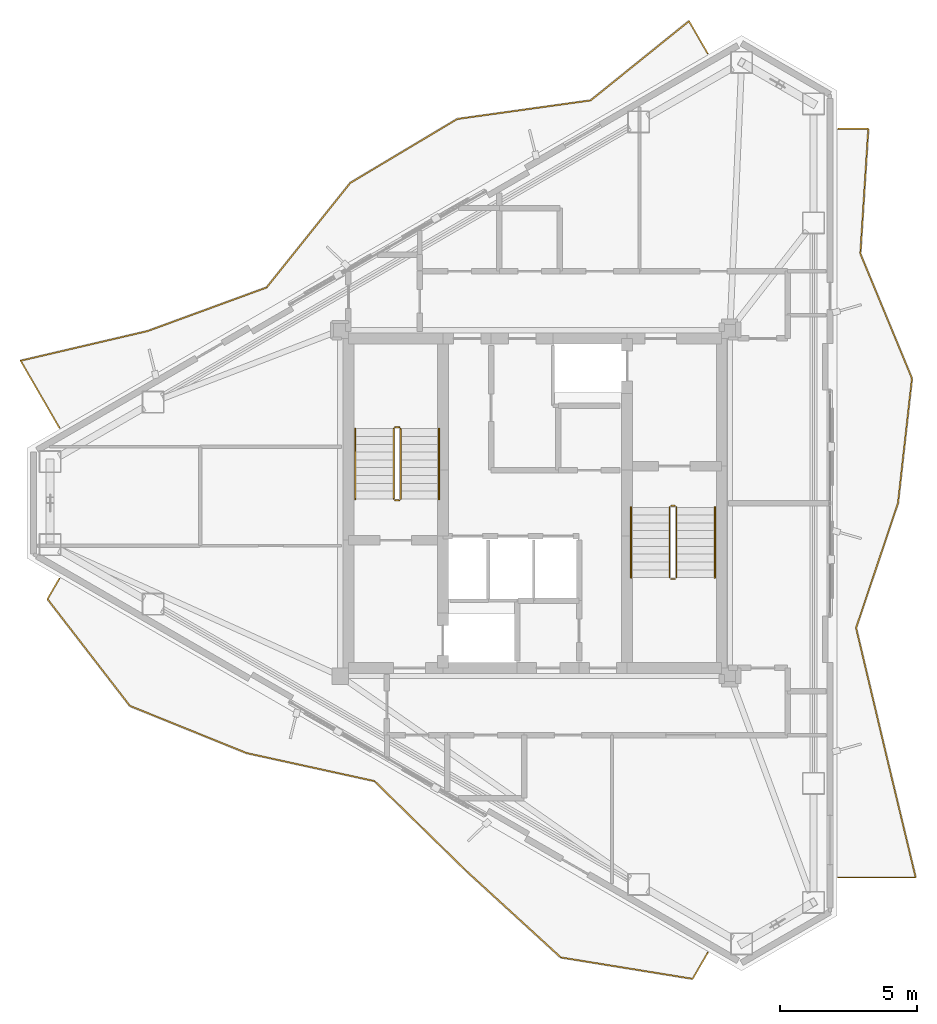
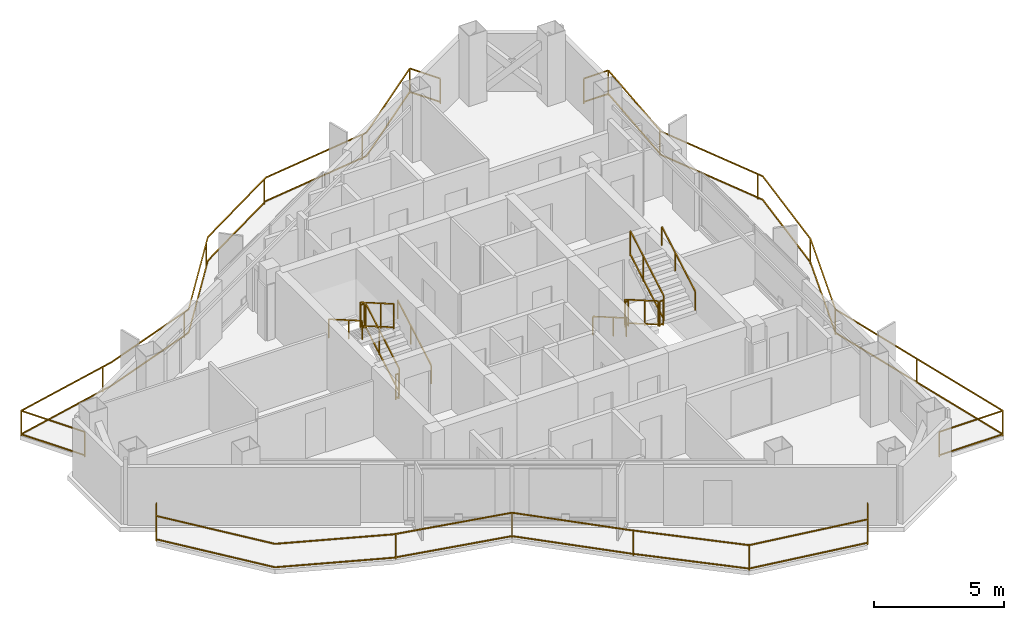
# One storey, part 18 of 18: 15 railings.
"""IFC4 building model written with IfcOpenShell, lengths in metres."""

from ifc_helpers import new_model, si_unit, direction, frame, origin, origin_2d, place, context, subcontext, project, spatial, rectangle, extrude, material, type_object, element, save


model = new_model("IFC4")

# Units and contexts
model_context = context("Model", 3, precision=1e-05, world=origin(), true_north=direction((0.0, 1.0)))
body_context = subcontext(model_context, "Body", "Model", "MODEL_VIEW")
ifc_project = project(units=[si_unit("LENGTHUNIT", "METRE"), si_unit("AREAUNIT", "SQUARE_METRE"), si_unit("VOLUMEUNIT", "CUBIC_METRE"), si_unit("PLANEANGLEUNIT", "RADIAN"), si_unit("MASSUNIT", "GRAM", prefix="KILO")], contexts=[model_context])

# Site, building, storey
site_placement = place(None, origin())
site = spatial("IfcSite", under=ifc_project, at=site_placement, CompositionType="ELEMENT")
building_placement = place(site_placement, origin())
building = spatial("IfcBuilding", under=site, at=building_placement, Name="Mersakhor Tower and Convention Hall", CompositionType="ELEMENT")
storey_placement = place(building_placement, frame((0.0, 0.0, 236.39990234375)))
storey = spatial("IfcBuildingStorey", under=building, at=storey_placement, Name="L66", CompositionType="ELEMENT", Elevation=236.39990234375)

# Railings
ifc_material_1 = material(Name="Powder-coated galvanised steel and laminated glass balustrade", Category="steel")
railing_type_1 = type_object("IfcRailingType", Name="RL-BAL-1200", PredefinedType="BALUSTRADE", material=ifc_material_1)
railing_1_placement = place(storey_placement, frame((35.287841796875, 43.13134765625, 0.0)))
element("IfcRailing", 1, at=railing_1_placement, inside=storey, type_object=railing_type_1, Name="L66 Sinusoidal Balcony Balustrade F1", PredefinedType="BALUSTRADE", context=body_context, shape_type="SweptSolid", body=[
    extrude(rectangle(XDim=0.048095703125, YDim=0.048095703125, at=origin_2d()), frame((0.0, 0.0, 1.17578125), z_axis=(-0.500023137234, 0.866012045084, 0.0), x_axis=(-0.866012045084, -0.500023137234, 0.0)), (0.0, 0.0, 1.0), 1.35888671875),
    extrude(rectangle(XDim=0.048095703125, YDim=0.048095703125, at=origin_2d()), frame((0.0, 0.0, 0.080078125), z_axis=(-0.500023137234, 0.866012045084, 0.0), x_axis=(-0.866012045084, -0.500023137234, 0.0)), (0.0, 0.0, 1.0), 1.35888671875),
    extrude(rectangle(XDim=0.048095703125, YDim=0.048095703125, at=origin_2d()), frame((-0.679443359375, 1.1767578125, 1.17578125), z_axis=(-0.778653072176, -0.627454694134, 0.0), x_axis=(0.627454694134, -0.778653072176, 0.0)), (0.0, 0.0, 1.0), 4.600341796875),
    extrude(rectangle(XDim=0.048095703125, YDim=0.048095703125, at=origin_2d()), frame((-0.679443359375, 1.1767578125, 0.080078125), z_axis=(-0.778653072176, -0.627454694134, 0.0), x_axis=(0.627454694134, -0.778653072176, 0.0)), (0.0, 0.0, 1.0), 4.600341796875),
    extrude(rectangle(XDim=0.048095703125, YDim=0.048095703125, at=origin_2d()), frame((-4.261474609375, -1.709716796875, 1.17578125), z_axis=(-0.990427539505, -0.138033651658, 0.0), x_axis=(0.138033651658, -0.990427539505, 0.0)), (0.0, 0.0, 1.0), 4.904541015625),
    extrude(rectangle(XDim=0.048095703125, YDim=0.048095703125, at=origin_2d()), frame((-4.261474609375, -1.709716796875, 0.080078125), z_axis=(-0.990427539505, -0.138033651658, 0.0), x_axis=(0.138033651658, -0.990427539505, 0.0)), (0.0, 0.0, 1.0), 4.904541015625),
    extrude(rectangle(XDim=0.048095703125, YDim=0.048095703125, at=origin_2d()), frame((-9.119140625, -2.38671875, 1.17578125), z_axis=(-0.85851010212, -0.5127966503, 0.0), x_axis=(0.5127966503, -0.85851010212, 0.0)), (0.0, 0.0, 1.0), 4.545654296875),
    extrude(rectangle(XDim=0.048095703125, YDim=0.048095703125, at=origin_2d()), frame((-9.119140625, -2.38671875, 0.080078125), z_axis=(-0.85851010212, -0.5127966503, 0.0), x_axis=(0.5127966503, -0.85851010212, 0.0)), (0.0, 0.0, 1.0), 4.545654296875),
    extrude(rectangle(XDim=0.048095703125, YDim=0.048095703125, at=origin_2d()), frame((-13.021728515625, -4.7177734375, 1.17578125), z_axis=(-0.624792665001, -0.780790705478, 0.0), x_axis=(0.780790705478, -0.624792665001, 0.0)), (0.0, 0.0, 1.0), 4.879638671875),
    extrude(rectangle(XDim=0.048095703125, YDim=0.048095703125, at=origin_2d()), frame((-13.021728515625, -4.7177734375, 0.080078125), z_axis=(-0.624792665001, -0.780790705478, 0.0), x_axis=(0.780790705478, -0.624792665001, 0.0)), (0.0, 0.0, 1.0), 4.879638671875),
    extrude(rectangle(XDim=0.048095703125, YDim=0.048095703125, at=origin_2d()), frame((-16.070556640625, -8.52783203125, 1.17578125), z_axis=(-0.939068288131, -0.343730636147, 0.0), x_axis=(0.343730636147, -0.939068288131, 0.0)), (0.0, 0.0, 1.0), 4.614013671875),
    extrude(rectangle(XDim=0.048095703125, YDim=0.048095703125, at=origin_2d()), frame((-16.070556640625, -8.52783203125, 0.080078125), z_axis=(-0.939068288131, -0.343730636147, 0.0), x_axis=(0.343730636147, -0.939068288131, 0.0)), (0.0, 0.0, 1.0), 4.614013671875),
    extrude(rectangle(XDim=0.048095703125, YDim=0.048095703125, at=origin_2d()), frame((-20.4033203125, -10.11376953125, 1.17578125), z_axis=(-0.973798726147, -0.2274116113, 0.0), x_axis=(0.2274116113, -0.973798726147, 0.0)), (0.0, 0.0, 1.0), 4.74951171875),
    extrude(rectangle(XDim=0.048095703125, YDim=0.048095703125, at=origin_2d()), frame((-20.4033203125, -10.11376953125, 0.080078125), z_axis=(-0.973798726147, -0.2274116113, 0.0), x_axis=(0.2274116113, -0.973798726147, 0.0)), (0.0, 0.0, 1.0), 4.74951171875),
    extrude(rectangle(XDim=0.048095703125, YDim=0.048095703125, at=origin_2d()), frame((-25.0283203125, -11.19384765625, 1.17578125), z_axis=(0.499984757355, -0.866034203951, 0.0), x_axis=(0.866034203951, 0.499984757355, 0.0)), (0.0, 0.0, 1.0), 2.81982421875),
    extrude(rectangle(XDim=0.048095703125, YDim=0.048095703125, at=origin_2d()), frame((-25.0283203125, -11.19384765625, 0.080078125), z_axis=(0.499984757355, -0.866034203951, 0.0), x_axis=(0.866034203951, 0.499984757355, 0.0)), (0.0, 0.0, 1.0), 2.81982421875),
    extrude(rectangle(XDim=0.0419921875, YDim=0.0419921875, at=origin_2d()), origin(), (0.0, 0.0, 1.0), 1.15185546875),
    extrude(rectangle(XDim=0.0419921875, YDim=0.0419921875, at=origin_2d()), frame((-0.679443359375, 1.1767578125, 0.0)), (0.0, 0.0, 1.0), 1.15185546875),
    extrude(rectangle(XDim=0.0419921875, YDim=0.0419921875, at=origin_2d()), frame((-4.459228515625, -1.7373046875, 0.0)), (0.0, 0.0, 1.0), 1.15185546875),
    extrude(rectangle(XDim=0.0419921875, YDim=0.0419921875, at=origin_2d()), frame((-9.20068359375, -2.435546875, 0.0)), (0.0, 0.0, 1.0), 1.15185546875),
    extrude(rectangle(XDim=0.0419921875, YDim=0.0419921875, at=origin_2d()), frame((-13.239990234375, -4.990478515625, 0.0)), (0.0, 0.0, 1.0), 1.15185546875),
    extrude(rectangle(XDim=0.0419921875, YDim=0.0419921875, at=origin_2d()), frame((-16.32373046875, -8.62060546875, 0.0)), (0.0, 0.0, 1.0), 1.15185546875),
    extrude(rectangle(XDim=0.0419921875, YDim=0.0419921875, at=origin_2d()), frame((-20.84716796875, -10.21728515625, 0.0)), (0.0, 0.0, 1.0), 1.15185546875),
    extrude(rectangle(XDim=0.0419921875, YDim=0.0419921875, at=origin_2d()), frame((-25.0283203125, -11.19384765625, 0.0)), (0.0, 0.0, 1.0), 1.15185546875),
    extrude(rectangle(XDim=0.0419921875, YDim=0.0419921875, at=origin_2d()), frame((-23.618408203125, -13.635986328125, 0.0)), (0.0, 0.0, 1.0), 1.15185546875),
])
railing_2_placement = place(storey_placement, frame((40.042724609375, 13.114013671875, 0.0)))
element("IfcRailing", 2, at=railing_2_placement, inside=storey, type_object=railing_type_1, Name="L66 Sinusoidal Balcony Balustrade F2", PredefinedType="BALUSTRADE", context=body_context, shape_type="SweptSolid", body=[
    extrude(rectangle(XDim=0.048095703125, YDim=0.048095703125, at=origin_2d()), frame((0.0, 0.0, 1.17578125), z_axis=(1.0, 0.0, 0.0), x_axis=(0.0, 1.0, 0.0)), (0.0, 0.0, 1.0), 2.820068359375),
    extrude(rectangle(XDim=0.048095703125, YDim=0.048095703125, at=origin_2d()), frame((0.0, 0.0, 0.080078125), z_axis=(1.0, 0.0, 0.0), x_axis=(0.0, 1.0, 0.0)), (0.0, 0.0, 1.0), 2.820068359375),
    extrude(rectangle(XDim=0.048095703125, YDim=0.048095703125, at=origin_2d()), frame((2.820068359375, 0.0, 1.17578125), z_axis=(-0.233467771202, 0.972364540597, 0.0), x_axis=(-0.972364540597, -0.233467771202, 0.0)), (0.0, 0.0, 1.0), 4.67431640625),
    extrude(rectangle(XDim=0.048095703125, YDim=0.048095703125, at=origin_2d()), frame((2.820068359375, 0.0, 0.080078125), z_axis=(-0.233467771202, 0.972364540597, 0.0), x_axis=(-0.972364540597, -0.233467771202, 0.0)), (0.0, 0.0, 1.0), 4.67431640625),
    extrude(rectangle(XDim=0.048095703125, YDim=0.048095703125, at=origin_2d()), frame((1.728759765625, 4.545166015625, 1.17578125), z_axis=(-0.230885677973, 0.972980885582, 0.0), x_axis=(-0.972980885582, -0.230885677973, 0.0)), (0.0, 0.0, 1.0), 4.671630859375),
    extrude(rectangle(XDim=0.048095703125, YDim=0.048095703125, at=origin_2d()), frame((1.728759765625, 4.545166015625, 0.080078125), z_axis=(-0.230885677973, 0.972980885582, 0.0), x_axis=(-0.972980885582, -0.230885677973, 0.0)), (0.0, 0.0, 1.0), 4.671630859375),
    extrude(rectangle(XDim=0.048095703125, YDim=0.048095703125, at=origin_2d()), frame((0.650146484375, 9.090576171875, 1.17578125), z_axis=(0.318334961594, 0.947978297339, 0.0), x_axis=(-0.947978297339, 0.318334961594, 0.0)), (0.0, 0.0, 1.0), 4.794921875),
    extrude(rectangle(XDim=0.048095703125, YDim=0.048095703125, at=origin_2d()), frame((0.650146484375, 9.090576171875, 0.080078125), z_axis=(0.318334961594, 0.947978297339, 0.0), x_axis=(-0.947978297339, 0.318334961594, 0.0)), (0.0, 0.0, 1.0), 4.794921875),
    extrude(rectangle(XDim=0.048095703125, YDim=0.048095703125, at=origin_2d()), frame((2.176513671875, 13.635986328125, 1.17578125), z_axis=(0.111345405852, 0.993781767088, 0.0), x_axis=(-0.993781767088, 0.111345405852, 0.0)), (0.0, 0.0, 1.0), 4.57373046875),
    extrude(rectangle(XDim=0.048095703125, YDim=0.048095703125, at=origin_2d()), frame((2.176513671875, 13.635986328125, 0.080078125), z_axis=(0.111345405852, 0.993781767088, 0.0), x_axis=(-0.993781767088, 0.111345405852, 0.0)), (0.0, 0.0, 1.0), 4.57373046875),
    extrude(rectangle(XDim=0.048095703125, YDim=0.048095703125, at=origin_2d()), frame((2.685791015625, 18.181396484375, 1.17578125), z_axis=(-0.382394166219, 0.923999297425, 0.0), x_axis=(-0.923999297425, -0.382394166219, 0.0)), (0.0, 0.0, 1.0), 4.919189453125),
    extrude(rectangle(XDim=0.048095703125, YDim=0.048095703125, at=origin_2d()), frame((2.685791015625, 18.181396484375, 0.080078125), z_axis=(-0.382394166219, 0.923999297425, 0.0), x_axis=(-0.923999297425, -0.382394166219, 0.0)), (0.0, 0.0, 1.0), 4.919189453125),
    extrude(rectangle(XDim=0.048095703125, YDim=0.048095703125, at=origin_2d()), frame((0.8046875, 22.726806640625, 1.17578125), z_axis=(0.0637365032, 0.997966762052, 0.0), x_axis=(-0.997966762052, 0.0637365032, 0.0)), (0.0, 0.0, 1.0), 4.554443359375),
    extrude(rectangle(XDim=0.048095703125, YDim=0.048095703125, at=origin_2d()), frame((0.8046875, 22.726806640625, 0.080078125), z_axis=(0.0637365032, 0.997966762052, 0.0), x_axis=(-0.997966762052, 0.0637365032, 0.0)), (0.0, 0.0, 1.0), 4.554443359375),
    extrude(rectangle(XDim=0.048095703125, YDim=0.048095703125, at=origin_2d()), frame((1.094970703125, 27.27197265625, 1.17578125), z_axis=(-1.0, 0.0, 0.0), x_axis=(0.0, -1.0, 0.0)), (0.0, 0.0, 1.0), 1.094970703125),
    extrude(rectangle(XDim=0.048095703125, YDim=0.048095703125, at=origin_2d()), frame((1.094970703125, 27.27197265625, 0.080078125), z_axis=(-1.0, 0.0, 0.0), x_axis=(0.0, -1.0, 0.0)), (0.0, 0.0, 1.0), 1.094970703125),
    extrude(rectangle(XDim=0.0419921875, YDim=0.0419921875, at=origin_2d()), origin(), (0.0, 0.0, 1.0), 1.15185546875),
    extrude(rectangle(XDim=0.0419921875, YDim=0.0419921875, at=origin_2d()), frame((2.820068359375, 0.0, 0.0)), (0.0, 0.0, 1.0), 1.15185546875),
    extrude(rectangle(XDim=0.0419921875, YDim=0.0419921875, at=origin_2d()), frame((1.69970703125, 4.66748046875, 0.0)), (0.0, 0.0, 1.0), 1.15185546875),
    extrude(rectangle(XDim=0.0419921875, YDim=0.0419921875, at=origin_2d()), frame((0.650146484375, 9.090576171875, 0.0)), (0.0, 0.0, 1.0), 1.15185546875),
    extrude(rectangle(XDim=0.0419921875, YDim=0.0419921875, at=origin_2d()), frame((2.177001953125, 13.64111328125, 0.0)), (0.0, 0.0, 1.0), 1.15185546875),
    extrude(rectangle(XDim=0.0419921875, YDim=0.0419921875, at=origin_2d()), frame((2.597412109375, 18.39501953125, 0.0)), (0.0, 0.0, 1.0), 1.15185546875),
    extrude(rectangle(XDim=0.0419921875, YDim=0.0419921875, at=origin_2d()), frame((0.811767578125, 22.838623046875, 0.0)), (0.0, 0.0, 1.0), 1.15185546875),
    extrude(rectangle(XDim=0.0419921875, YDim=0.0419921875, at=origin_2d()), frame((1.094970703125, 27.27197265625, 0.0)), (0.0, 0.0, 1.0), 1.15185546875),
    extrude(rectangle(XDim=0.0419921875, YDim=0.0419921875, at=origin_2d()), frame((0.0, 27.27197265625, 0.0)), (0.0, 0.0, 1.0), 1.15185546875),
])
railing_3_placement = place(storey_placement, frame((11.66943359375, 24.004638671875, 0.0)))
element("IfcRailing", 3, at=railing_3_placement, inside=storey, type_object=railing_type_1, Name="L66 Sinusoidal Balcony Balustrade F3", PredefinedType="BALUSTRADE", context=body_context, shape_type="SweptSolid", body=[
    extrude(rectangle(XDim=0.048095703125, YDim=0.048095703125, at=origin_2d()), frame((0.0, 0.0, 1.17578125), z_axis=(-0.500023708017, -0.866011715522, 0.0), x_axis=(0.866011715522, -0.500023708017, 0.0)), (0.0, 0.0, 1.0), 0.865234375),
    extrude(rectangle(XDim=0.048095703125, YDim=0.048095703125, at=origin_2d()), frame((0.0, 0.0, 0.080078125), z_axis=(-0.500023708017, -0.866011715522, 0.0), x_axis=(0.866011715522, -0.500023708017, 0.0)), (0.0, 0.0, 1.0), 0.865234375),
    extrude(rectangle(XDim=0.048095703125, YDim=0.048095703125, at=origin_2d()), frame((-0.4326171875, -0.749267578125, 1.17578125), z_axis=(0.610968067397, -0.791655241012, 0.0), x_axis=(0.791655241012, 0.610968067397, 0.0)), (0.0, 0.0, 1.0), 4.914306640625),
    extrude(rectangle(XDim=0.048095703125, YDim=0.048095703125, at=origin_2d()), frame((-0.4326171875, -0.749267578125, 0.080078125), z_axis=(0.610968067397, -0.791655241012, 0.0), x_axis=(0.791655241012, 0.610968067397, 0.0)), (0.0, 0.0, 1.0), 4.914306640625),
    extrude(rectangle(XDim=0.048095703125, YDim=0.048095703125, at=origin_2d()), frame((2.56982421875, -4.6396484375, 1.17578125), z_axis=(0.927087255493, -0.374845595815, 0.0), x_axis=(0.374845595815, 0.927087255493, 0.0)), (0.0, 0.0, 1.0), 4.58984375),
    extrude(rectangle(XDim=0.048095703125, YDim=0.048095703125, at=origin_2d()), frame((2.56982421875, -4.6396484375, 0.080078125), z_axis=(0.927087255493, -0.374845595815, 0.0), x_axis=(0.374845595815, 0.927087255493, 0.0)), (0.0, 0.0, 1.0), 4.58984375),
    extrude(rectangle(XDim=0.048095703125, YDim=0.048095703125, at=origin_2d()), frame((6.824951171875, -6.360107421875, 1.17578125), z_axis=(0.976831847096, -0.214008276709, 0.0), x_axis=(0.214008276709, 0.976831847096, 0.0)), (0.0, 0.0, 1.0), 4.769775390625),
    extrude(rectangle(XDim=0.048095703125, YDim=0.048095703125, at=origin_2d()), frame((6.824951171875, -6.360107421875, 0.080078125), z_axis=(0.976831847096, -0.214008276709, 0.0), x_axis=(0.214008276709, 0.976831847096, 0.0)), (0.0, 0.0, 1.0), 4.769775390625),
    extrude(rectangle(XDim=0.048095703125, YDim=0.048095703125, at=origin_2d()), frame((11.484130859375, -7.380859375, 1.17578125), z_axis=(0.714739595655, -0.699390670801, 0.0), x_axis=(0.699390670801, 0.714739595655, 0.0)), (0.0, 0.0, 1.0), 4.6923828125),
    extrude(rectangle(XDim=0.048095703125, YDim=0.048095703125, at=origin_2d()), frame((11.484130859375, -7.380859375, 0.080078125), z_axis=(0.714739595655, -0.699390670801, 0.0), x_axis=(0.699390670801, 0.714739595655, 0.0)), (0.0, 0.0, 1.0), 4.6923828125),
    extrude(rectangle(XDim=0.048095703125, YDim=0.048095703125, at=origin_2d()), frame((14.837890625, -10.66259765625, 1.17578125), z_axis=(0.737698146667, -0.675130686908, 0.0), x_axis=(0.675130686908, 0.737698146667, 0.0)), (0.0, 0.0, 1.0), 4.655029296875),
    extrude(rectangle(XDim=0.048095703125, YDim=0.048095703125, at=origin_2d()), frame((14.837890625, -10.66259765625, 0.080078125), z_axis=(0.737698146667, -0.675130686908, 0.0), x_axis=(0.675130686908, 0.737698146667, 0.0)), (0.0, 0.0, 1.0), 4.655029296875),
    extrude(rectangle(XDim=0.048095703125, YDim=0.048095703125, at=origin_2d()), frame((18.27197265625, -13.805419921875, 1.17578125), z_axis=(0.987085311229, -0.160195469211, 0.0), x_axis=(0.160195469211, 0.987085311229, 0.0)), (0.0, 0.0, 1.0), 4.861572265625),
    extrude(rectangle(XDim=0.048095703125, YDim=0.048095703125, at=origin_2d()), frame((18.27197265625, -13.805419921875, 0.080078125), z_axis=(0.987085311229, -0.160195469211, 0.0), x_axis=(0.160195469211, 0.987085311229, 0.0)), (0.0, 0.0, 1.0), 4.861572265625),
    extrude(rectangle(XDim=0.048095703125, YDim=0.048095703125, at=origin_2d()), frame((23.07080078125, -14.584228515625, 1.17578125), z_axis=(0.500095571584, 0.865970218473, 0.0), x_axis=(-0.865970218473, 0.500095571584, 0.0)), (0.0, 0.0, 1.0), 1.094970703125),
    extrude(rectangle(XDim=0.048095703125, YDim=0.048095703125, at=origin_2d()), frame((23.07080078125, -14.584228515625, 0.080078125), z_axis=(0.500095571584, 0.865970218473, 0.0), x_axis=(-0.865970218473, 0.500095571584, 0.0)), (0.0, 0.0, 1.0), 1.094970703125),
    extrude(rectangle(XDim=0.0419921875, YDim=0.0419921875, at=origin_2d()), origin(), (0.0, 0.0, 1.0), 1.15185546875),
    extrude(rectangle(XDim=0.0419921875, YDim=0.0419921875, at=origin_2d()), frame((-0.4326171875, -0.749267578125, 0.0)), (0.0, 0.0, 1.0), 1.15185546875),
    extrude(rectangle(XDim=0.0419921875, YDim=0.0419921875, at=origin_2d()), frame((6.918701171875, -6.380615234375, 0.0)), (0.0, 0.0, 1.0), 1.15185546875),
    extrude(rectangle(XDim=0.0419921875, YDim=0.0419921875, at=origin_2d()), frame((11.484130859375, -7.380859375, 0.0)), (0.0, 0.0, 1.0), 1.15185546875),
    extrude(rectangle(XDim=0.0419921875, YDim=0.0419921875, at=origin_2d()), frame((14.917236328125, -10.7353515625, 0.0)), (0.0, 0.0, 1.0), 1.15185546875),
    extrude(rectangle(XDim=0.0419921875, YDim=0.0419921875, at=origin_2d()), frame((18.27197265625, -13.805419921875, 0.0)), (0.0, 0.0, 1.0), 1.15185546875),
    extrude(rectangle(XDim=0.0419921875, YDim=0.0419921875, at=origin_2d()), frame((23.07080078125, -14.584228515625, 0.0)), (0.0, 0.0, 1.0), 1.15185546875),
    extrude(rectangle(XDim=0.0419921875, YDim=0.0419921875, at=origin_2d()), frame((23.618408203125, -13.635986328125, 0.0)), (0.0, 0.0, 1.0), 1.15185546875),
])
ifc_material_2 = material(Name="Brushed stainless steel handrail", Category="steel")
railing_type_2 = type_object("IfcRailingType", Name="RL-HR-900", PredefinedType="HANDRAIL", material=ifc_material_2)
railing_4_placement = place(storey_placement, frame((25.5, 26.89990234375, 0.1650390625)))
element("IfcRailing", 4, at=railing_4_placement, inside=storey, type_object=railing_type_2, Name="L66 ST-1 stair handrail 1", PredefinedType="HANDRAIL", context=body_context, shape_type="SweptSolid", body=[
    extrude(rectangle(XDim=0.048095703125, YDim=0.048095703125, at=origin_2d()), frame((0.0, 0.0, 0.8759765625), z_axis=(0.0, 0.865426285481, 0.501036270542), x_axis=(-1.0, 0.0, 0.0)), (0.0, 0.0, 1.0), 2.964111328125),
    extrude(rectangle(XDim=0.0419921875, YDim=0.0419921875, at=origin_2d()), origin(), (0.0, 0.0, 1.0), 0.851806640625),
    extrude(rectangle(XDim=0.0419921875, YDim=0.0419921875, at=origin_2d()), frame((0.0, 1.557861328125, 0.90185546875)), (0.0, 0.0, 1.0), 0.851806640625),
    extrude(rectangle(XDim=0.0419921875, YDim=0.0419921875, at=origin_2d()), frame((0.0, 2.565185546875, 1.485107421875)), (0.0, 0.0, 1.0), 0.851806640625),
])
railing_5_placement = place(storey_placement, frame((22.449951171875, 29.465087890625, 1.815185546875)))
element("IfcRailing", 5, at=railing_5_placement, inside=storey, type_object=railing_type_2, Name="L66 ST-1 stair handrail 2", PredefinedType="HANDRAIL", context=body_context, shape_type="SweptSolid", body=[
    extrude(rectangle(XDim=0.048095703125, YDim=0.048095703125, at=origin_2d()), frame((0.0, 0.0, 0.8759765625), z_axis=(0.0, -0.865461999751, 0.500974577186), x_axis=(1.0, 0.0, 0.0)), (0.0, 0.0, 1.0), 2.9638671875),
    extrude(rectangle(XDim=0.0419921875, YDim=0.0419921875, at=origin_2d()), origin(), (0.0, 0.0, 1.0), 0.851806640625),
    extrude(rectangle(XDim=0.0419921875, YDim=0.0419921875, at=origin_2d()), frame((0.0, -1.557861328125, 0.90185546875)), (0.0, 0.0, 1.0), 0.851806640625),
    extrude(rectangle(XDim=0.0419921875, YDim=0.0419921875, at=origin_2d()), frame((0.0, -2.565185546875, 1.48486328125)), (0.0, 0.0, 1.0), 0.851806640625),
])
railing_6_placement = place(storey_placement, frame((32.5, 26.60009765625, 0.1650390625)))
element("IfcRailing", 6, at=railing_6_placement, inside=storey, type_object=railing_type_2, Name="L66 ST-2 stair handrail 1", PredefinedType="HANDRAIL", context=body_context, shape_type="SweptSolid", body=[
    extrude(rectangle(XDim=0.048095703125, YDim=0.048095703125, at=origin_2d()), frame((0.0, 0.0, 0.8759765625), z_axis=(0.0, -0.865426285481, 0.501036270542), x_axis=(1.0, 0.0, 0.0)), (0.0, 0.0, 1.0), 2.964111328125),
    extrude(rectangle(XDim=0.0419921875, YDim=0.0419921875, at=origin_2d()), origin(), (0.0, 0.0, 1.0), 0.851806640625),
    extrude(rectangle(XDim=0.0419921875, YDim=0.0419921875, at=origin_2d()), frame((0.0, -1.557861328125, 0.90185546875)), (0.0, 0.0, 1.0), 0.851806640625),
    extrude(rectangle(XDim=0.0419921875, YDim=0.0419921875, at=origin_2d()), frame((0.0, -2.565185546875, 1.485107421875)), (0.0, 0.0, 1.0), 0.851806640625),
])
railing_7_placement = place(storey_placement, frame((35.550048828125, 24.034912109375, 1.815185546875)))
element("IfcRailing", 7, at=railing_7_placement, inside=storey, type_object=railing_type_2, Name="L66 ST-2 stair handrail 2", PredefinedType="HANDRAIL", context=body_context, shape_type="SweptSolid", body=[
    extrude(rectangle(XDim=0.048095703125, YDim=0.048095703125, at=origin_2d()), frame((0.0, 0.0, 0.8759765625), z_axis=(0.0, 0.865461999751, 0.500974577186), x_axis=(-1.0, 0.0, 0.0)), (0.0, 0.0, 1.0), 2.9638671875),
    extrude(rectangle(XDim=0.0419921875, YDim=0.0419921875, at=origin_2d()), origin(), (0.0, 0.0, 1.0), 0.851806640625),
    extrude(rectangle(XDim=0.0419921875, YDim=0.0419921875, at=origin_2d()), frame((0.0, 1.557861328125, 0.90185546875)), (0.0, 0.0, 1.0), 0.851806640625),
    extrude(rectangle(XDim=0.0419921875, YDim=0.0419921875, at=origin_2d()), frame((0.0, 2.565185546875, 1.48486328125)), (0.0, 0.0, 1.0), 0.851806640625),
])
ifc_material_3 = material(Name="Painted steel stair balustrade S355", Category="steel")
railing_type_3 = type_object("IfcRailingType", Name="RL-STG-1200", PredefinedType="BALUSTRADE", material=ifc_material_3)
railing_8_placement = place(storey_placement, frame((24.10009765625, 26.89990234375, 0.1650390625)))
element("IfcRailing", 8, at=railing_8_placement, inside=storey, type_object=railing_type_3, Name="L66 ST-1 stair guard 1", PredefinedType="BALUSTRADE", context=body_context, shape_type="SweptSolid", body=[
    extrude(rectangle(XDim=0.048095703125, YDim=0.048095703125, at=origin_2d()), frame((0.0, 0.0, 1.17578125), z_axis=(0.0, 0.865426285481, 0.501036270542), x_axis=(-1.0, 0.0, 0.0)), (0.0, 0.0, 1.0), 2.964111328125),
    extrude(rectangle(XDim=0.048095703125, YDim=0.048095703125, at=origin_2d()), frame((0.0, 0.0, 0.080078125), z_axis=(0.0, 0.865426285481, 0.501036270542), x_axis=(-1.0, 0.0, 0.0)), (0.0, 0.0, 1.0), 2.964111328125),
    extrude(rectangle(XDim=0.0419921875, YDim=0.0419921875, at=origin_2d()), origin(), (0.0, 0.0, 1.0), 1.15185546875),
    extrude(rectangle(XDim=0.0419921875, YDim=0.0419921875, at=origin_2d()), frame((0.0, 1.557861328125, 0.90185546875)), (0.0, 0.0, 1.0), 1.15185546875),
    extrude(rectangle(XDim=0.0419921875, YDim=0.0419921875, at=origin_2d()), frame((0.0, 2.565185546875, 1.485107421875)), (0.0, 0.0, 1.0), 1.15185546875),
])
railing_9_placement = place(storey_placement, frame((24.050048828125, 29.514892578125, 1.650146484375)))
element("IfcRailing", 9, at=railing_9_placement, inside=storey, type_object=railing_type_3, Name="L66 ST-1 stair guard 2", PredefinedType="BALUSTRADE", context=body_context, shape_type="SweptSolid", body=[
    extrude(rectangle(XDim=0.048095703125, YDim=0.048095703125, at=origin_2d()), frame((0.0, 0.0, 1.17578125), z_axis=(-1.0, 0.0, 0.0), x_axis=(0.0, -1.0, 0.0)), (0.0, 0.0, 1.0), 0.150146484375),
    extrude(rectangle(XDim=0.048095703125, YDim=0.048095703125, at=origin_2d()), frame((0.0, 0.0, 0.080078125), z_axis=(-1.0, 0.0, 0.0), x_axis=(0.0, -1.0, 0.0)), (0.0, 0.0, 1.0), 0.150146484375),
    extrude(rectangle(XDim=0.0419921875, YDim=0.0419921875, at=origin_2d()), origin(), (0.0, 0.0, 1.0), 1.15185546875),
    extrude(rectangle(XDim=0.0419921875, YDim=0.0419921875, at=origin_2d()), frame((-0.150146484375, 0.0, 0.0)), (0.0, 0.0, 1.0), 1.15185546875),
])
railing_10_placement = place(storey_placement, frame((23.85009765625, 29.465087890625, 1.815185546875)))
element("IfcRailing", 10, at=railing_10_placement, inside=storey, type_object=railing_type_3, Name="L66 ST-1 stair guard 3", PredefinedType="BALUSTRADE", context=body_context, shape_type="SweptSolid", body=[
    extrude(rectangle(XDim=0.048095703125, YDim=0.048095703125, at=origin_2d()), frame((0.0, 0.0, 1.17578125), z_axis=(0.0, -0.865461999751, 0.500974577186), x_axis=(1.0, 0.0, 0.0)), (0.0, 0.0, 1.0), 2.9638671875),
    extrude(rectangle(XDim=0.048095703125, YDim=0.048095703125, at=origin_2d()), frame((0.0, 0.0, 0.080078125), z_axis=(0.0, -0.865461999751, 0.500974577186), x_axis=(1.0, 0.0, 0.0)), (0.0, 0.0, 1.0), 2.9638671875),
    extrude(rectangle(XDim=0.0419921875, YDim=0.0419921875, at=origin_2d()), origin(), (0.0, 0.0, 1.0), 1.15185546875),
    extrude(rectangle(XDim=0.0419921875, YDim=0.0419921875, at=origin_2d()), frame((0.0, -1.557861328125, 0.90185546875)), (0.0, 0.0, 1.0), 1.15185546875),
    extrude(rectangle(XDim=0.0419921875, YDim=0.0419921875, at=origin_2d()), frame((0.0, -2.565185546875, 1.48486328125)), (0.0, 0.0, 1.0), 1.15185546875),
])
railing_11_placement = place(storey_placement, frame((24.050048828125, 26.85009765625, 0.0)))
element("IfcRailing", 11, at=railing_11_placement, inside=storey, type_object=railing_type_3, Name="L66 ST-1 stair guard 4", PredefinedType="BALUSTRADE", context=body_context, shape_type="SweptSolid", body=[
    extrude(rectangle(XDim=0.048095703125, YDim=0.048095703125, at=origin_2d()), frame((0.0, 0.0, 1.17578125), z_axis=(-1.0, 0.0, 0.0), x_axis=(0.0, -1.0, 0.0)), (0.0, 0.0, 1.0), 0.150146484375),
    extrude(rectangle(XDim=0.048095703125, YDim=0.048095703125, at=origin_2d()), frame((0.0, 0.0, 0.080078125), z_axis=(-1.0, 0.0, 0.0), x_axis=(0.0, -1.0, 0.0)), (0.0, 0.0, 1.0), 0.150146484375),
    extrude(rectangle(XDim=0.0419921875, YDim=0.0419921875, at=origin_2d()), origin(), (0.0, 0.0, 1.0), 1.15185546875),
    extrude(rectangle(XDim=0.0419921875, YDim=0.0419921875, at=origin_2d()), frame((-0.150146484375, 0.0, 0.0)), (0.0, 0.0, 1.0), 1.15185546875),
])
railing_12_placement = place(storey_placement, frame((33.89990234375, 26.60009765625, 0.1650390625)))
element("IfcRailing", 12, at=railing_12_placement, inside=storey, type_object=railing_type_3, Name="L66 ST-2 stair guard 1", PredefinedType="BALUSTRADE", context=body_context, shape_type="SweptSolid", body=[
    extrude(rectangle(XDim=0.048095703125, YDim=0.048095703125, at=origin_2d()), frame((0.0, 0.0, 1.17578125), z_axis=(0.0, -0.865426285481, 0.501036270542), x_axis=(1.0, 0.0, 0.0)), (0.0, 0.0, 1.0), 2.964111328125),
    extrude(rectangle(XDim=0.048095703125, YDim=0.048095703125, at=origin_2d()), frame((0.0, 0.0, 0.080078125), z_axis=(0.0, -0.865426285481, 0.501036270542), x_axis=(1.0, 0.0, 0.0)), (0.0, 0.0, 1.0), 2.964111328125),
    extrude(rectangle(XDim=0.0419921875, YDim=0.0419921875, at=origin_2d()), origin(), (0.0, 0.0, 1.0), 1.15185546875),
    extrude(rectangle(XDim=0.0419921875, YDim=0.0419921875, at=origin_2d()), frame((0.0, -1.557861328125, 0.90185546875)), (0.0, 0.0, 1.0), 1.15185546875),
    extrude(rectangle(XDim=0.0419921875, YDim=0.0419921875, at=origin_2d()), frame((0.0, -2.565185546875, 1.485107421875)), (0.0, 0.0, 1.0), 1.15185546875),
])
railing_13_placement = place(storey_placement, frame((33.949951171875, 23.985107421875, 1.650146484375)))
element("IfcRailing", 13, at=railing_13_placement, inside=storey, type_object=railing_type_3, Name="L66 ST-2 stair guard 2", PredefinedType="BALUSTRADE", context=body_context, shape_type="SweptSolid", body=[
    extrude(rectangle(XDim=0.048095703125, YDim=0.048095703125, at=origin_2d()), frame((0.0, 0.0, 1.17578125), z_axis=(1.0, 0.0, 0.0), x_axis=(0.0, 1.0, 0.0)), (0.0, 0.0, 1.0), 0.150146484375),
    extrude(rectangle(XDim=0.048095703125, YDim=0.048095703125, at=origin_2d()), frame((0.0, 0.0, 0.080078125), z_axis=(1.0, 0.0, 0.0), x_axis=(0.0, 1.0, 0.0)), (0.0, 0.0, 1.0), 0.150146484375),
    extrude(rectangle(XDim=0.0419921875, YDim=0.0419921875, at=origin_2d()), origin(), (0.0, 0.0, 1.0), 1.15185546875),
    extrude(rectangle(XDim=0.0419921875, YDim=0.0419921875, at=origin_2d()), frame((0.150146484375, 0.0, 0.0)), (0.0, 0.0, 1.0), 1.15185546875),
])
railing_14_placement = place(storey_placement, frame((34.14990234375, 24.034912109375, 1.815185546875)))
element("IfcRailing", 14, at=railing_14_placement, inside=storey, type_object=railing_type_3, Name="L66 ST-2 stair guard 3", PredefinedType="BALUSTRADE", context=body_context, shape_type="SweptSolid", body=[
    extrude(rectangle(XDim=0.048095703125, YDim=0.048095703125, at=origin_2d()), frame((0.0, 0.0, 1.17578125), z_axis=(0.0, 0.865461999751, 0.500974577186), x_axis=(-1.0, 0.0, 0.0)), (0.0, 0.0, 1.0), 2.9638671875),
    extrude(rectangle(XDim=0.048095703125, YDim=0.048095703125, at=origin_2d()), frame((0.0, 0.0, 0.080078125), z_axis=(0.0, 0.865461999751, 0.500974577186), x_axis=(-1.0, 0.0, 0.0)), (0.0, 0.0, 1.0), 2.9638671875),
    extrude(rectangle(XDim=0.0419921875, YDim=0.0419921875, at=origin_2d()), origin(), (0.0, 0.0, 1.0), 1.15185546875),
    extrude(rectangle(XDim=0.0419921875, YDim=0.0419921875, at=origin_2d()), frame((0.0, 1.557861328125, 0.90185546875)), (0.0, 0.0, 1.0), 1.15185546875),
    extrude(rectangle(XDim=0.0419921875, YDim=0.0419921875, at=origin_2d()), frame((0.0, 2.565185546875, 1.48486328125)), (0.0, 0.0, 1.0), 1.15185546875),
])
railing_15_placement = place(storey_placement, frame((33.949951171875, 26.64990234375, 0.0)))
element("IfcRailing", 15, at=railing_15_placement, inside=storey, type_object=railing_type_3, Name="L66 ST-2 stair guard 4", PredefinedType="BALUSTRADE", context=body_context, shape_type="SweptSolid", body=[
    extrude(rectangle(XDim=0.048095703125, YDim=0.048095703125, at=origin_2d()), frame((0.0, 0.0, 1.17578125), z_axis=(1.0, 0.0, 0.0), x_axis=(0.0, 1.0, 0.0)), (0.0, 0.0, 1.0), 0.150146484375),
    extrude(rectangle(XDim=0.048095703125, YDim=0.048095703125, at=origin_2d()), frame((0.0, 0.0, 0.080078125), z_axis=(1.0, 0.0, 0.0), x_axis=(0.0, 1.0, 0.0)), (0.0, 0.0, 1.0), 0.150146484375),
    extrude(rectangle(XDim=0.0419921875, YDim=0.0419921875, at=origin_2d()), origin(), (0.0, 0.0, 1.0), 1.15185546875),
    extrude(rectangle(XDim=0.0419921875, YDim=0.0419921875, at=origin_2d()), frame((0.150146484375, 0.0, 0.0)), (0.0, 0.0, 1.0), 1.15185546875),
])

save(model, "model.ifc")
